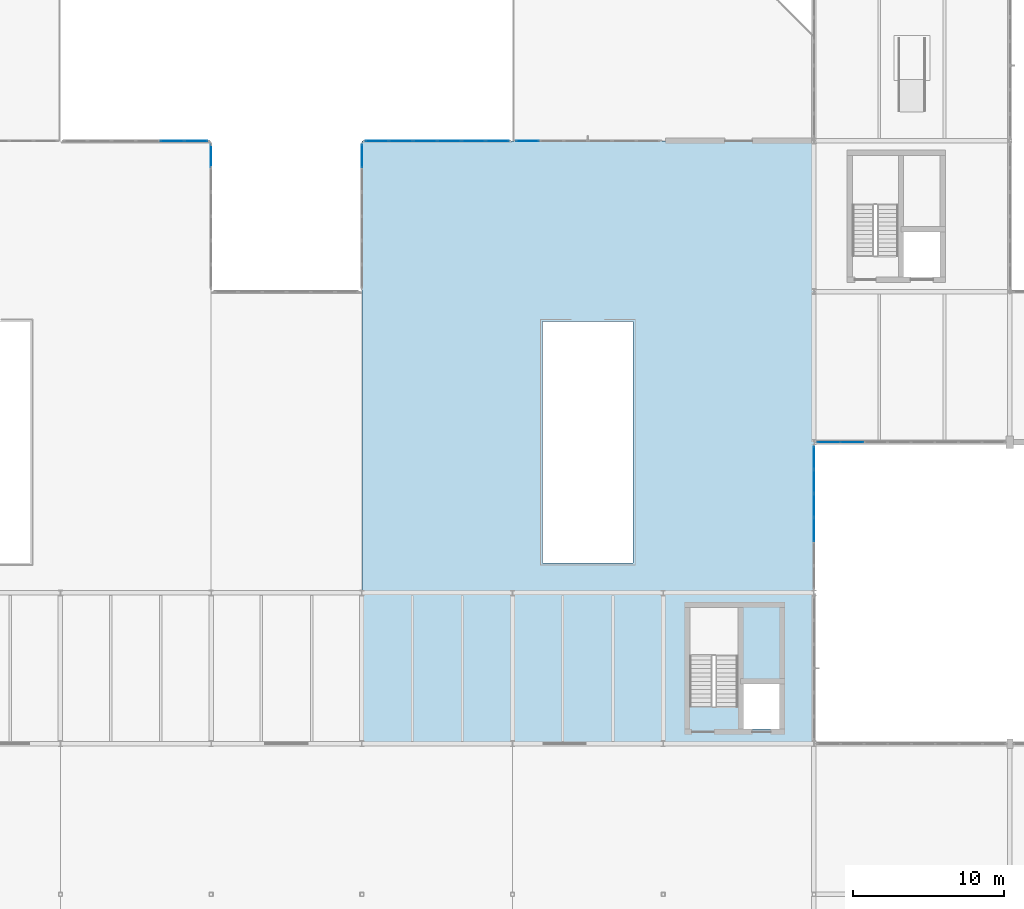
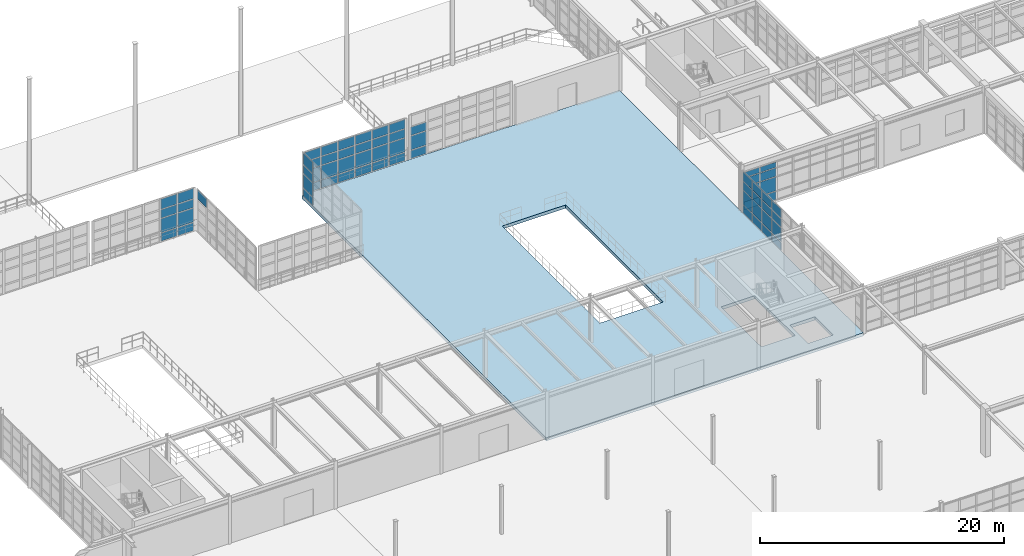
# One storey, part 95 of 139: 64 plates, 1 slab, 7 elements without a shape of their own.
"""IFC4 building model written with IfcOpenShell, lengths in metres."""

from ifc_helpers import new_model, si_unit, direction, frame, origin, origin_2d, place, context, subcontext, project, spatial, polyline, rectangle, outline, extrude, material, layer, layer_set, type_object, element, aggregate, save


model = new_model("IFC4")

# Units and contexts
model_context = context("Model", 3, precision=1e-05, world=origin(), true_north=direction((0.0, 1.0)))
body_context = subcontext(model_context, "Body", "Model", "MODEL_VIEW")
ifc_project = project(units=[si_unit("LENGTHUNIT", "METRE"), si_unit("AREAUNIT", "SQUARE_METRE"), si_unit("VOLUMEUNIT", "CUBIC_METRE"), si_unit("PLANEANGLEUNIT", "RADIAN"), si_unit("MASSUNIT", "GRAM", prefix="KILO"), si_unit("THERMODYNAMICTEMPERATUREUNIT", "KELVIN"), si_unit("POWERUNIT", "WATT")], contexts=[model_context])

# Site, building, storey
site_placement = place(None, origin())
site = spatial("IfcSite", under=ifc_project, at=site_placement, CompositionType="ELEMENT")
building_placement = place(site_placement, origin())
building = spatial("IfcBuilding", under=site, at=building_placement, Name="Korenveer Ferry Terminal", CompositionType="ELEMENT")
storey_placement = place(building_placement, frame((0.0, 0.0, 5.39990234375)))
storey = spatial("IfcBuildingStorey", under=building, at=storey_placement, Name="L01", CompositionType="ELEMENT", Elevation=5.39990234375)

# Curtain wall, plates
ifc_material_1 = material(Name="Unitised bronze-and-glass curtain wall", Category="glass")
ifc_layer_1 = layer(ifc_material_1, 0.159912109375)
ifc_layer_set_1 = layer_set([ifc_layer_1], Name="Unitised bronze-and-glass curtain wall")
curtain_wall_type_1 = type_object("IfcCurtainWallType", Name="ENV-CW-47", PredefinedType="USERDEFINED", material=ifc_layer_set_1)
curtain_wall_1_placement = place(storey_placement, frame((123.179931640625, 70.0, 0.0)))
curtain_wall_1 = element("IfcCurtainWall", 1, at=curtain_wall_1_placement, inside=storey, type_object=curtain_wall_type_1, Name="Lancet curtain wall CWX-L01-X123-136-Y70-70", ObjectType="UNITISED CURTAIN WALL", PredefinedType="USERDEFINED")
ifc_material_2 = material(Name="Low-iron solar-control double glazing", Category="glass")
ifc_layer_2 = layer(ifc_material_2, 0.028076171875)
ifc_layer_set_2 = layer_set([ifc_layer_2], Name="Low-iron solar-control double glazing")
plate_type_1 = type_object("IfcPlateType", Name="ENV-CWP-GLZ28", PredefinedType="CURTAIN_PANEL", material=ifc_layer_set_2)
plate_1_placement = place(storey_placement, frame((123.978759765625, 70.0, 0.06005859375), z_axis=(0.0, 0.0, 1.0), x_axis=(1.0, 0.0, 0.0)))
plate_1 = element("IfcPlate", 2, at=plate_1_placement, type_object=plate_type_1, Name="CW-47 panel 1.1", PredefinedType="CURTAIN_PANEL", context=body_context, shape_type="SweptSolid", body=[
    extrude(rectangle(XDim=1.4775390625, YDim=0.028076171875, at=origin_2d()), origin(), (0.0, 0.0, 1.0), 0.81005859375),
])
plate_2_placement = place(storey_placement, frame((123.978759765625, 70.0, 0.93017578125), z_axis=(0.0, 0.0, 1.0), x_axis=(1.0, 0.0, 0.0)))
plate_2 = element("IfcPlate", 3, at=plate_2_placement, type_object=plate_type_1, Name="CW-47 panel 1.2", PredefinedType="CURTAIN_PANEL", context=body_context, shape_type="SweptSolid", body=[
    extrude(rectangle(XDim=1.4775390625, YDim=0.028076171875, at=origin_2d()), origin(), (0.0, 0.0, 1.0), 1.389892578125),
])
plate_3_placement = place(storey_placement, frame((123.978759765625, 70.0, 2.3798828125), z_axis=(0.0, 0.0, 1.0), x_axis=(1.0, 0.0, 0.0)))
plate_3 = element("IfcPlate", 4, at=plate_3_placement, type_object=plate_type_1, Name="CW-47 panel 1.3", PredefinedType="CURTAIN_PANEL", context=body_context, shape_type="SweptSolid", body=[
    extrude(rectangle(XDim=1.4775390625, YDim=0.028076171875, at=origin_2d()), origin(), (0.0, 0.0, 1.0), 0.840087890625),
])
plate_4_placement = place(storey_placement, frame((123.978759765625, 70.0, 3.2802734375), z_axis=(0.0, 0.0, 1.0), x_axis=(1.0, 0.0, 0.0)))
plate_4 = element("IfcPlate", 5, at=plate_4_placement, type_object=plate_type_1, Name="CW-47 panel 1.4", PredefinedType="CURTAIN_PANEL", context=body_context, shape_type="SweptSolid", body=[
    extrude(rectangle(XDim=1.4775390625, YDim=0.028076171875, at=origin_2d()), origin(), (0.0, 0.0, 1.0), 0.530029296875),
])
plate_5_placement = place(storey_placement, frame((125.53125, 70.0, 0.06005859375), z_axis=(0.0, 0.0, 1.0), x_axis=(1.0, 0.0, 0.0)))
plate_5 = element("IfcPlate", 6, at=plate_5_placement, type_object=plate_type_1, Name="CW-47 panel 2.1", PredefinedType="CURTAIN_PANEL", context=body_context, shape_type="SweptSolid", body=[
    extrude(rectangle(XDim=1.507568359375, YDim=0.028076171875, at=origin_2d()), origin(), (0.0, 0.0, 1.0), 0.81005859375),
])
plate_6_placement = place(storey_placement, frame((125.53125, 70.0, 0.93017578125), z_axis=(0.0, 0.0, 1.0), x_axis=(1.0, 0.0, 0.0)))
plate_6 = element("IfcPlate", 7, at=plate_6_placement, type_object=plate_type_1, Name="CW-47 panel 2.2", PredefinedType="CURTAIN_PANEL", context=body_context, shape_type="SweptSolid", body=[
    extrude(rectangle(XDim=1.507568359375, YDim=0.028076171875, at=origin_2d()), origin(), (0.0, 0.0, 1.0), 1.389892578125),
])
plate_7_placement = place(storey_placement, frame((125.53125, 70.0, 2.3798828125), z_axis=(0.0, 0.0, 1.0), x_axis=(1.0, 0.0, 0.0)))
plate_7 = element("IfcPlate", 8, at=plate_7_placement, type_object=plate_type_1, Name="CW-47 panel 2.3", PredefinedType="CURTAIN_PANEL", context=body_context, shape_type="SweptSolid", body=[
    extrude(rectangle(XDim=1.507568359375, YDim=0.028076171875, at=origin_2d()), origin(), (0.0, 0.0, 1.0), 0.840087890625),
])
plate_8_placement = place(storey_placement, frame((125.53125, 70.0, 3.2802734375), z_axis=(0.0, 0.0, 1.0), x_axis=(1.0, 0.0, 0.0)))
plate_8 = element("IfcPlate", 9, at=plate_8_placement, type_object=plate_type_1, Name="CW-47 panel 2.4", PredefinedType="CURTAIN_PANEL", context=body_context, shape_type="SweptSolid", body=[
    extrude(rectangle(XDim=1.507568359375, YDim=0.028076171875, at=origin_2d()), origin(), (0.0, 0.0, 1.0), 0.530029296875),
])
aggregate(curtain_wall_1, [plate_1, plate_2, plate_3, plate_4, plate_5, plate_6, plate_7, plate_8])

ifc_layer_3 = layer(ifc_material_1, 0.219970703125)
ifc_layer_set_3 = layer_set([ifc_layer_3], Name="Unitised bronze-and-glass curtain wall")
curtain_wall_type_2 = type_object("IfcCurtainWallType", Name="ENV-CW-54", PredefinedType="USERDEFINED", material=ifc_layer_set_3)
curtain_wall_2_placement = place(storey_placement, frame((73.179931640625, 90.0, 0.0)))
curtain_wall_2 = element("IfcCurtainWall", 10, at=curtain_wall_2_placement, inside=storey, type_object=curtain_wall_type_2, Name="Lancet curtain wall CWX-L01-X73-83-Y90-90", ObjectType="UNITISED CURTAIN WALL", PredefinedType="USERDEFINED")
ifc_material_3 = material(Name="Acoustic laminated marine glazing", Category="glass")
ifc_layer_4 = layer(ifc_material_3, 0.035888671875)
ifc_layer_set_4 = layer_set([ifc_layer_4], Name="Acoustic laminated marine glazing")
plate_type_2 = type_object("IfcPlateType", Name="ENV-CWP-GLZ36", PredefinedType="CURTAIN_PANEL", material=ifc_layer_set_4)
plate_9_placement = place(storey_placement, frame((80.409912109375, 90.0, 0.074951171875), z_axis=(0.0, 0.0, 1.0), x_axis=(1.0, 0.0, 0.0)))
plate_9 = element("IfcPlate", 11, at=plate_9_placement, type_object=plate_type_2, Name="CW-54 panel 5.1", PredefinedType="CURTAIN_PANEL", context=body_context, shape_type="SweptSolid", body=[
    extrude(rectangle(XDim=1.53173828125, YDim=0.035888671875, at=origin_2d()), origin(), (0.0, 0.0, 1.0), 0.78759765625),
])
plate_10_placement = place(storey_placement, frame((80.409912109375, 90.0, 0.9375), z_axis=(0.0, 0.0, 1.0), x_axis=(1.0, 0.0, 0.0)))
plate_10 = element("IfcPlate", 12, at=plate_10_placement, type_object=plate_type_2, Name="CW-54 panel 5.2", PredefinedType="CURTAIN_PANEL", context=body_context, shape_type="SweptSolid", body=[
    extrude(rectangle(XDim=1.53173828125, YDim=0.035888671875, at=origin_2d()), origin(), (0.0, 0.0, 1.0), 1.375),
])
plate_11_placement = place(storey_placement, frame((80.409912109375, 90.0, 2.3876953125), z_axis=(0.0, 0.0, 1.0), x_axis=(1.0, 0.0, 0.0)))
plate_11 = element("IfcPlate", 13, at=plate_11_placement, type_object=plate_type_2, Name="CW-54 panel 5.3", PredefinedType="CURTAIN_PANEL", context=body_context, shape_type="SweptSolid", body=[
    extrude(rectangle(XDim=1.53173828125, YDim=0.035888671875, at=origin_2d()), origin(), (0.0, 0.0, 1.0), 0.824951171875),
])
plate_12_placement = place(storey_placement, frame((80.409912109375, 90.0, 3.28759765625), z_axis=(0.0, 0.0, 1.0), x_axis=(1.0, 0.0, 0.0)))
plate_12 = element("IfcPlate", 14, at=plate_12_placement, type_object=plate_type_2, Name="CW-54 panel 5.4", PredefinedType="CURTAIN_PANEL", context=body_context, shape_type="SweptSolid", body=[
    extrude(rectangle(XDim=1.53173828125, YDim=0.035888671875, at=origin_2d()), origin(), (0.0, 0.0, 1.0), 0.99755859375),
])
plate_13_placement = place(storey_placement, frame((81.997802734375, 90.0, 0.074951171875), z_axis=(0.0, 0.0, 1.0), x_axis=(1.0, 0.0, 0.0)))
plate_13 = element("IfcPlate", 15, at=plate_13_placement, type_object=plate_type_2, Name="CW-54 panel 6.1", PredefinedType="CURTAIN_PANEL", context=body_context, shape_type="SweptSolid", body=[
    extrude(rectangle(XDim=1.494140625, YDim=0.035888671875, at=origin_2d()), origin(), (0.0, 0.0, 1.0), 0.78759765625),
])
plate_14_placement = place(storey_placement, frame((81.997802734375, 90.0, 0.9375), z_axis=(0.0, 0.0, 1.0), x_axis=(1.0, 0.0, 0.0)))
plate_14 = element("IfcPlate", 16, at=plate_14_placement, type_object=plate_type_2, Name="CW-54 panel 6.2", PredefinedType="CURTAIN_PANEL", context=body_context, shape_type="SweptSolid", body=[
    extrude(rectangle(XDim=1.494140625, YDim=0.035888671875, at=origin_2d()), origin(), (0.0, 0.0, 1.0), 1.375),
])
plate_15_placement = place(storey_placement, frame((81.997802734375, 90.0, 2.3876953125), z_axis=(0.0, 0.0, 1.0), x_axis=(1.0, 0.0, 0.0)))
plate_15 = element("IfcPlate", 17, at=plate_15_placement, type_object=plate_type_2, Name="CW-54 panel 6.3", PredefinedType="CURTAIN_PANEL", context=body_context, shape_type="SweptSolid", body=[
    extrude(rectangle(XDim=1.494140625, YDim=0.035888671875, at=origin_2d()), origin(), (0.0, 0.0, 1.0), 0.824951171875),
])
plate_16_placement = place(storey_placement, frame((81.997802734375, 90.0, 3.28759765625), z_axis=(0.0, 0.0, 1.0), x_axis=(1.0, 0.0, 0.0)))
plate_16 = element("IfcPlate", 18, at=plate_16_placement, type_object=plate_type_2, Name="CW-54 panel 6.4", PredefinedType="CURTAIN_PANEL", context=body_context, shape_type="SweptSolid", body=[
    extrude(rectangle(XDim=1.494140625, YDim=0.035888671875, at=origin_2d()), origin(), (0.0, 0.0, 1.0), 0.99755859375),
])
aggregate(curtain_wall_2, [plate_9, plate_10, plate_11, plate_12, plate_13, plate_14, plate_15, plate_16])

ifc_layer_5 = layer(ifc_material_1, 0.219970703125)
ifc_layer_set_5 = layer_set([ifc_layer_5], Name="Unitised bronze-and-glass curtain wall")
curtain_wall_type_3 = type_object("IfcCurtainWallType", Name="ENV-CW-55", PredefinedType="USERDEFINED", material=ifc_layer_set_5)
curtain_wall_3_placement = place(storey_placement, frame((93.179931640625, 90.0, 0.0)))
curtain_wall_3 = element("IfcCurtainWall", 19, at=curtain_wall_3_placement, inside=storey, type_object=curtain_wall_type_3, Name="Lancet curtain wall CWX-L01-X93-103-Y90-90", ObjectType="UNITISED CURTAIN WALL", PredefinedType="USERDEFINED")
plate_17_placement = place(storey_placement, frame((94.002197265625, 90.0, 0.074951171875), z_axis=(0.0, 0.0, 1.0), x_axis=(1.0, 0.0, 0.0)))
plate_17 = element("IfcPlate", 20, at=plate_17_placement, type_object=plate_type_2, Name="CW-55 panel 1.1", PredefinedType="CURTAIN_PANEL", context=body_context, shape_type="SweptSolid", body=[
    extrude(rectangle(XDim=1.494140625, YDim=0.035888671875, at=origin_2d()), origin(), (0.0, 0.0, 1.0), 0.78759765625),
])
plate_18_placement = place(storey_placement, frame((94.002197265625, 90.0, 0.9375), z_axis=(0.0, 0.0, 1.0), x_axis=(1.0, 0.0, 0.0)))
plate_18 = element("IfcPlate", 21, at=plate_18_placement, type_object=plate_type_2, Name="CW-55 panel 1.2", PredefinedType="CURTAIN_PANEL", context=body_context, shape_type="SweptSolid", body=[
    extrude(rectangle(XDim=1.494140625, YDim=0.035888671875, at=origin_2d()), origin(), (0.0, 0.0, 1.0), 1.375),
])
plate_19_placement = place(storey_placement, frame((94.002197265625, 90.0, 2.3876953125), z_axis=(0.0, 0.0, 1.0), x_axis=(1.0, 0.0, 0.0)))
plate_19 = element("IfcPlate", 22, at=plate_19_placement, type_object=plate_type_2, Name="CW-55 panel 1.3", PredefinedType="CURTAIN_PANEL", context=body_context, shape_type="SweptSolid", body=[
    extrude(rectangle(XDim=1.494140625, YDim=0.035888671875, at=origin_2d()), origin(), (0.0, 0.0, 1.0), 0.824951171875),
])
plate_20_placement = place(storey_placement, frame((94.002197265625, 90.0, 3.28759765625), z_axis=(0.0, 0.0, 1.0), x_axis=(1.0, 0.0, 0.0)))
plate_20 = element("IfcPlate", 23, at=plate_20_placement, type_object=plate_type_2, Name="CW-55 panel 1.4", PredefinedType="CURTAIN_PANEL", context=body_context, shape_type="SweptSolid", body=[
    extrude(rectangle(XDim=1.494140625, YDim=0.035888671875, at=origin_2d()), origin(), (0.0, 0.0, 1.0), 0.8974609375),
])
plate_21_placement = place(storey_placement, frame((95.590087890625, 90.0, 0.074951171875), z_axis=(0.0, 0.0, 1.0), x_axis=(1.0, 0.0, 0.0)))
plate_21 = element("IfcPlate", 24, at=plate_21_placement, type_object=plate_type_2, Name="CW-55 panel 2.1", PredefinedType="CURTAIN_PANEL", context=body_context, shape_type="SweptSolid", body=[
    extrude(rectangle(XDim=1.53173828125, YDim=0.035888671875, at=origin_2d()), origin(), (0.0, 0.0, 1.0), 0.78759765625),
])
plate_22_placement = place(storey_placement, frame((95.590087890625, 90.0, 0.9375), z_axis=(0.0, 0.0, 1.0), x_axis=(1.0, 0.0, 0.0)))
plate_22 = element("IfcPlate", 25, at=plate_22_placement, type_object=plate_type_2, Name="CW-55 panel 2.2", PredefinedType="CURTAIN_PANEL", context=body_context, shape_type="SweptSolid", body=[
    extrude(rectangle(XDim=1.53173828125, YDim=0.035888671875, at=origin_2d()), origin(), (0.0, 0.0, 1.0), 1.375),
])
plate_23_placement = place(storey_placement, frame((95.590087890625, 90.0, 2.3876953125), z_axis=(0.0, 0.0, 1.0), x_axis=(1.0, 0.0, 0.0)))
plate_23 = element("IfcPlate", 26, at=plate_23_placement, type_object=plate_type_2, Name="CW-55 panel 2.3", PredefinedType="CURTAIN_PANEL", context=body_context, shape_type="SweptSolid", body=[
    extrude(rectangle(XDim=1.53173828125, YDim=0.035888671875, at=origin_2d()), origin(), (0.0, 0.0, 1.0), 0.824951171875),
])
plate_24_placement = place(storey_placement, frame((95.590087890625, 90.0, 3.28759765625), z_axis=(0.0, 0.0, 1.0), x_axis=(1.0, 0.0, 0.0)))
plate_24 = element("IfcPlate", 27, at=plate_24_placement, type_object=plate_type_2, Name="CW-55 panel 2.4", PredefinedType="CURTAIN_PANEL", context=body_context, shape_type="SweptSolid", body=[
    extrude(rectangle(XDim=1.53173828125, YDim=0.035888671875, at=origin_2d()), origin(), (0.0, 0.0, 1.0), 0.8974609375),
])
plate_25_placement = place(storey_placement, frame((97.19677734375, 90.0, 0.074951171875), z_axis=(0.0, 0.0, 1.0), x_axis=(1.0, 0.0, 0.0)))
plate_25 = element("IfcPlate", 28, at=plate_25_placement, type_object=plate_type_2, Name="CW-55 panel 3.1", PredefinedType="CURTAIN_PANEL", context=body_context, shape_type="SweptSolid", body=[
    extrude(rectangle(XDim=1.53173828125, YDim=0.035888671875, at=origin_2d()), origin(), (0.0, 0.0, 1.0), 0.78759765625),
])
plate_26_placement = place(storey_placement, frame((97.19677734375, 90.0, 0.9375), z_axis=(0.0, 0.0, 1.0), x_axis=(1.0, 0.0, 0.0)))
plate_26 = element("IfcPlate", 29, at=plate_26_placement, type_object=plate_type_2, Name="CW-55 panel 3.2", PredefinedType="CURTAIN_PANEL", context=body_context, shape_type="SweptSolid", body=[
    extrude(rectangle(XDim=1.53173828125, YDim=0.035888671875, at=origin_2d()), origin(), (0.0, 0.0, 1.0), 1.375),
])
plate_27_placement = place(storey_placement, frame((97.19677734375, 90.0, 2.3876953125), z_axis=(0.0, 0.0, 1.0), x_axis=(1.0, 0.0, 0.0)))
plate_27 = element("IfcPlate", 30, at=plate_27_placement, type_object=plate_type_2, Name="CW-55 panel 3.3", PredefinedType="CURTAIN_PANEL", context=body_context, shape_type="SweptSolid", body=[
    extrude(rectangle(XDim=1.53173828125, YDim=0.035888671875, at=origin_2d()), origin(), (0.0, 0.0, 1.0), 0.824951171875),
])
plate_28_placement = place(storey_placement, frame((97.19677734375, 90.0, 3.28759765625), z_axis=(0.0, 0.0, 1.0), x_axis=(1.0, 0.0, 0.0)))
plate_28 = element("IfcPlate", 31, at=plate_28_placement, type_object=plate_type_2, Name="CW-55 panel 3.4", PredefinedType="CURTAIN_PANEL", context=body_context, shape_type="SweptSolid", body=[
    extrude(rectangle(XDim=1.53173828125, YDim=0.035888671875, at=origin_2d()), origin(), (0.0, 0.0, 1.0), 0.8974609375),
])
plate_29_placement = place(storey_placement, frame((98.80322265625, 90.0, 0.074951171875), z_axis=(0.0, 0.0, 1.0), x_axis=(1.0, 0.0, 0.0)))
plate_29 = element("IfcPlate", 32, at=plate_29_placement, type_object=plate_type_2, Name="CW-55 panel 4.1", PredefinedType="CURTAIN_PANEL", context=body_context, shape_type="SweptSolid", body=[
    extrude(rectangle(XDim=1.53173828125, YDim=0.035888671875, at=origin_2d()), origin(), (0.0, 0.0, 1.0), 0.78759765625),
])
plate_30_placement = place(storey_placement, frame((98.80322265625, 90.0, 0.9375), z_axis=(0.0, 0.0, 1.0), x_axis=(1.0, 0.0, 0.0)))
plate_30 = element("IfcPlate", 33, at=plate_30_placement, type_object=plate_type_2, Name="CW-55 panel 4.2", PredefinedType="CURTAIN_PANEL", context=body_context, shape_type="SweptSolid", body=[
    extrude(rectangle(XDim=1.53173828125, YDim=0.035888671875, at=origin_2d()), origin(), (0.0, 0.0, 1.0), 1.375),
])
plate_31_placement = place(storey_placement, frame((98.80322265625, 90.0, 2.3876953125), z_axis=(0.0, 0.0, 1.0), x_axis=(1.0, 0.0, 0.0)))
plate_31 = element("IfcPlate", 34, at=plate_31_placement, type_object=plate_type_2, Name="CW-55 panel 4.3", PredefinedType="CURTAIN_PANEL", context=body_context, shape_type="SweptSolid", body=[
    extrude(rectangle(XDim=1.53173828125, YDim=0.035888671875, at=origin_2d()), origin(), (0.0, 0.0, 1.0), 0.824951171875),
])
plate_32_placement = place(storey_placement, frame((98.80322265625, 90.0, 3.28759765625), z_axis=(0.0, 0.0, 1.0), x_axis=(1.0, 0.0, 0.0)))
plate_32 = element("IfcPlate", 35, at=plate_32_placement, type_object=plate_type_2, Name="CW-55 panel 4.4", PredefinedType="CURTAIN_PANEL", context=body_context, shape_type="SweptSolid", body=[
    extrude(rectangle(XDim=1.53173828125, YDim=0.035888671875, at=origin_2d()), origin(), (0.0, 0.0, 1.0), 0.8974609375),
])
plate_33_placement = place(storey_placement, frame((100.409912109375, 90.0, 0.074951171875), z_axis=(0.0, 0.0, 1.0), x_axis=(1.0, 0.0, 0.0)))
plate_33 = element("IfcPlate", 36, at=plate_33_placement, type_object=plate_type_2, Name="CW-55 panel 5.1", PredefinedType="CURTAIN_PANEL", context=body_context, shape_type="SweptSolid", body=[
    extrude(rectangle(XDim=1.53173828125, YDim=0.035888671875, at=origin_2d()), origin(), (0.0, 0.0, 1.0), 0.78759765625),
])
plate_34_placement = place(storey_placement, frame((100.409912109375, 90.0, 0.9375), z_axis=(0.0, 0.0, 1.0), x_axis=(1.0, 0.0, 0.0)))
plate_34 = element("IfcPlate", 37, at=plate_34_placement, type_object=plate_type_2, Name="CW-55 panel 5.2", PredefinedType="CURTAIN_PANEL", context=body_context, shape_type="SweptSolid", body=[
    extrude(rectangle(XDim=1.53173828125, YDim=0.035888671875, at=origin_2d()), origin(), (0.0, 0.0, 1.0), 1.375),
])
plate_35_placement = place(storey_placement, frame((100.409912109375, 90.0, 2.3876953125), z_axis=(0.0, 0.0, 1.0), x_axis=(1.0, 0.0, 0.0)))
plate_35 = element("IfcPlate", 38, at=plate_35_placement, type_object=plate_type_2, Name="CW-55 panel 5.3", PredefinedType="CURTAIN_PANEL", context=body_context, shape_type="SweptSolid", body=[
    extrude(rectangle(XDim=1.53173828125, YDim=0.035888671875, at=origin_2d()), origin(), (0.0, 0.0, 1.0), 0.824951171875),
])
plate_36_placement = place(storey_placement, frame((100.409912109375, 90.0, 3.28759765625), z_axis=(0.0, 0.0, 1.0), x_axis=(1.0, 0.0, 0.0)))
plate_36 = element("IfcPlate", 39, at=plate_36_placement, type_object=plate_type_2, Name="CW-55 panel 5.4", PredefinedType="CURTAIN_PANEL", context=body_context, shape_type="SweptSolid", body=[
    extrude(rectangle(XDim=1.53173828125, YDim=0.035888671875, at=origin_2d()), origin(), (0.0, 0.0, 1.0), 0.8974609375),
])
plate_37_placement = place(storey_placement, frame((101.997802734375, 90.0, 0.074951171875), z_axis=(0.0, 0.0, 1.0), x_axis=(1.0, 0.0, 0.0)))
plate_37 = element("IfcPlate", 40, at=plate_37_placement, type_object=plate_type_2, Name="CW-55 panel 6.1", PredefinedType="CURTAIN_PANEL", context=body_context, shape_type="SweptSolid", body=[
    extrude(rectangle(XDim=1.494140625, YDim=0.035888671875, at=origin_2d()), origin(), (0.0, 0.0, 1.0), 0.78759765625),
])
plate_38_placement = place(storey_placement, frame((101.997802734375, 90.0, 0.9375), z_axis=(0.0, 0.0, 1.0), x_axis=(1.0, 0.0, 0.0)))
plate_38 = element("IfcPlate", 41, at=plate_38_placement, type_object=plate_type_2, Name="CW-55 panel 6.2", PredefinedType="CURTAIN_PANEL", context=body_context, shape_type="SweptSolid", body=[
    extrude(rectangle(XDim=1.494140625, YDim=0.035888671875, at=origin_2d()), origin(), (0.0, 0.0, 1.0), 1.375),
])
plate_39_placement = place(storey_placement, frame((101.997802734375, 90.0, 2.3876953125), z_axis=(0.0, 0.0, 1.0), x_axis=(1.0, 0.0, 0.0)))
plate_39 = element("IfcPlate", 42, at=plate_39_placement, type_object=plate_type_2, Name="CW-55 panel 6.3", PredefinedType="CURTAIN_PANEL", context=body_context, shape_type="SweptSolid", body=[
    extrude(rectangle(XDim=1.494140625, YDim=0.035888671875, at=origin_2d()), origin(), (0.0, 0.0, 1.0), 0.824951171875),
])
plate_40_placement = place(storey_placement, frame((101.997802734375, 90.0, 3.28759765625), z_axis=(0.0, 0.0, 1.0), x_axis=(1.0, 0.0, 0.0)))
plate_40 = element("IfcPlate", 43, at=plate_40_placement, type_object=plate_type_2, Name="CW-55 panel 6.4", PredefinedType="CURTAIN_PANEL", context=body_context, shape_type="SweptSolid", body=[
    extrude(rectangle(XDim=1.494140625, YDim=0.035888671875, at=origin_2d()), origin(), (0.0, 0.0, 1.0), 0.8974609375),
])
aggregate(curtain_wall_3, [plate_17, plate_18, plate_19, plate_20, plate_21, plate_22, plate_23, plate_24, plate_25, plate_26, plate_27, plate_28, plate_29, plate_30, plate_31, plate_32, plate_33, plate_34, plate_35, plate_36, plate_37, plate_38, plate_39, plate_40])

ifc_layer_6 = layer(ifc_material_1, 0.219970703125)
ifc_layer_set_6 = layer_set([ifc_layer_6], Name="Unitised bronze-and-glass curtain wall")
curtain_wall_type_4 = type_object("IfcCurtainWallType", Name="ENV-CW-52", PredefinedType="USERDEFINED", material=ifc_layer_set_6)
curtain_wall_4_placement = place(storey_placement, frame((103.179931640625, 90.0, 0.0)))
curtain_wall_4 = element("IfcCurtainWall", 44, at=curtain_wall_4_placement, inside=storey, type_object=curtain_wall_type_4, Name="Lancet curtain wall CWX-L01-X103-113-Y90-90", ObjectType="UNITISED CURTAIN WALL", PredefinedType="USERDEFINED")
plate_41_placement = place(storey_placement, frame((104.002197265625, 90.0, 0.074951171875), z_axis=(0.0, 0.0, 1.0), x_axis=(1.0, 0.0, 0.0)))
plate_41 = element("IfcPlate", 45, at=plate_41_placement, type_object=plate_type_2, Name="CW-52 panel 1.1", PredefinedType="CURTAIN_PANEL", context=body_context, shape_type="SweptSolid", body=[
    extrude(rectangle(XDim=1.494140625, YDim=0.035888671875, at=origin_2d()), origin(), (0.0, 0.0, 1.0), 0.78759765625),
])
plate_42_placement = place(storey_placement, frame((104.002197265625, 90.0, 0.9375), z_axis=(0.0, 0.0, 1.0), x_axis=(1.0, 0.0, 0.0)))
plate_42 = element("IfcPlate", 46, at=plate_42_placement, type_object=plate_type_2, Name="CW-52 panel 1.2", PredefinedType="CURTAIN_PANEL", context=body_context, shape_type="SweptSolid", body=[
    extrude(rectangle(XDim=1.494140625, YDim=0.035888671875, at=origin_2d()), origin(), (0.0, 0.0, 1.0), 1.375),
])
plate_43_placement = place(storey_placement, frame((104.002197265625, 90.0, 2.3876953125), z_axis=(0.0, 0.0, 1.0), x_axis=(1.0, 0.0, 0.0)))
plate_43 = element("IfcPlate", 47, at=plate_43_placement, type_object=plate_type_2, Name="CW-52 panel 1.3", PredefinedType="CURTAIN_PANEL", context=body_context, shape_type="SweptSolid", body=[
    extrude(rectangle(XDim=1.494140625, YDim=0.035888671875, at=origin_2d()), origin(), (0.0, 0.0, 1.0), 0.824951171875),
])
aggregate(curtain_wall_4, [plate_41, plate_42, plate_43])

# Curtain wall, plate
curtain_wall_5_placement = place(storey_placement, frame((83.0, 89.820068359375, 0.0)))
curtain_wall_5 = element("IfcCurtainWall", 48, at=curtain_wall_5_placement, inside=storey, type_object=curtain_wall_type_3, Name="Lancet curtain wall CWX-L01-X83-83-Y80-90", ObjectType="UNITISED CURTAIN WALL", PredefinedType="USERDEFINED")
plate_44_placement = place(storey_placement, frame((83.0, 88.997802734375, 3.28759765625), z_axis=(0.0, 0.0, 1.0), x_axis=(0.0, -1.0, 0.0)))
plate_44 = element("IfcPlate", 49, at=plate_44_placement, type_object=plate_type_2, Name="CW-55 panel 1.4", PredefinedType="CURTAIN_PANEL", context=body_context, shape_type="SweptSolid", body=[
    extrude(rectangle(XDim=1.494140625, YDim=0.035888671875, at=origin_2d()), origin(), (0.0, 0.0, 1.0), 0.8974609375),
])
aggregate(curtain_wall_5, [plate_44])

# Curtain wall, plates
curtain_wall_6_placement = place(storey_placement, frame((93.0, 80.179931640625, 0.0)))
curtain_wall_6 = element("IfcCurtainWall", 50, at=curtain_wall_6_placement, inside=storey, type_object=curtain_wall_type_4, Name="Lancet curtain wall CWX-L01-X93-93-Y80-90", ObjectType="UNITISED CURTAIN WALL", PredefinedType="USERDEFINED")
plate_45_placement = place(storey_placement, frame((93.0, 88.997802734375, 0.074951171875), z_axis=(0.0, 0.0, 1.0), x_axis=(0.0, 1.0, 0.0)))
plate_45 = element("IfcPlate", 51, at=plate_45_placement, type_object=plate_type_2, Name="CW-52 panel 6.1", PredefinedType="CURTAIN_PANEL", context=body_context, shape_type="SweptSolid", body=[
    extrude(rectangle(XDim=1.494140625, YDim=0.035888671875, at=origin_2d()), origin(), (0.0, 0.0, 1.0), 0.78759765625),
])
plate_46_placement = place(storey_placement, frame((93.0, 88.997802734375, 0.9375), z_axis=(0.0, 0.0, 1.0), x_axis=(0.0, 1.0, 0.0)))
plate_46 = element("IfcPlate", 52, at=plate_46_placement, type_object=plate_type_2, Name="CW-52 panel 6.2", PredefinedType="CURTAIN_PANEL", context=body_context, shape_type="SweptSolid", body=[
    extrude(rectangle(XDim=1.494140625, YDim=0.035888671875, at=origin_2d()), origin(), (0.0, 0.0, 1.0), 1.375),
])
plate_47_placement = place(storey_placement, frame((93.0, 88.997802734375, 2.3876953125), z_axis=(0.0, 0.0, 1.0), x_axis=(0.0, 1.0, 0.0)))
plate_47 = element("IfcPlate", 53, at=plate_47_placement, type_object=plate_type_2, Name="CW-52 panel 6.3", PredefinedType="CURTAIN_PANEL", context=body_context, shape_type="SweptSolid", body=[
    extrude(rectangle(XDim=1.494140625, YDim=0.035888671875, at=origin_2d()), origin(), (0.0, 0.0, 1.0), 0.824951171875),
])
plate_48_placement = place(storey_placement, frame((93.0, 88.997802734375, 3.28759765625), z_axis=(0.0, 0.0, 1.0), x_axis=(0.0, 1.0, 0.0)))
plate_48 = element("IfcPlate", 54, at=plate_48_placement, type_object=plate_type_2, Name="CW-52 panel 6.4", PredefinedType="CURTAIN_PANEL", context=body_context, shape_type="SweptSolid", body=[
    extrude(rectangle(XDim=1.494140625, YDim=0.035888671875, at=origin_2d()), origin(), (0.0, 0.0, 1.0), 1.097412109375),
])
aggregate(curtain_wall_6, [plate_45, plate_46, plate_47, plate_48])

ifc_layer_7 = layer(ifc_material_1, 0.219970703125)
ifc_layer_set_7 = layer_set([ifc_layer_7], Name="Unitised bronze-and-glass curtain wall")
curtain_wall_type_5 = type_object("IfcCurtainWallType", Name="ENV-CW-74", PredefinedType="USERDEFINED", material=ifc_layer_set_7)
curtain_wall_7_placement = place(storey_placement, frame((123.0, 69.7900390625, 0.0)))
curtain_wall_7 = element("IfcCurtainWall", 55, at=curtain_wall_7_placement, inside=storey, type_object=curtain_wall_type_5, Name="Lancet curtain wall CWX-L01-X123-123-Y60-70", ObjectType="UNITISED CURTAIN WALL", PredefinedType="USERDEFINED")
plate_49_placement = place(storey_placement, frame((123.0, 68.972900390625, 0.074951171875), z_axis=(0.0, 0.0, 1.0), x_axis=(0.0, -1.0, 0.0)))
plate_49 = element("IfcPlate", 56, at=plate_49_placement, type_object=plate_type_2, Name="CW-74 panel 1.1", PredefinedType="CURTAIN_PANEL", context=body_context, shape_type="SweptSolid", body=[
    extrude(rectangle(XDim=1.484130859375, YDim=0.035888671875, at=origin_2d()), origin(), (0.0, 0.0, 1.0), 0.78759765625),
])
plate_50_placement = place(storey_placement, frame((123.0, 68.972900390625, 0.9375), z_axis=(0.0, 0.0, 1.0), x_axis=(0.0, -1.0, 0.0)))
plate_50 = element("IfcPlate", 57, at=plate_50_placement, type_object=plate_type_2, Name="CW-74 panel 1.2", PredefinedType="CURTAIN_PANEL", context=body_context, shape_type="SweptSolid", body=[
    extrude(rectangle(XDim=1.484130859375, YDim=0.035888671875, at=origin_2d()), origin(), (0.0, 0.0, 1.0), 1.375),
])
plate_51_placement = place(storey_placement, frame((123.0, 68.972900390625, 2.3876953125), z_axis=(0.0, 0.0, 1.0), x_axis=(0.0, -1.0, 0.0)))
plate_51 = element("IfcPlate", 58, at=plate_51_placement, type_object=plate_type_2, Name="CW-74 panel 1.3", PredefinedType="CURTAIN_PANEL", context=body_context, shape_type="SweptSolid", body=[
    extrude(rectangle(XDim=1.484130859375, YDim=0.035888671875, at=origin_2d()), origin(), (0.0, 0.0, 1.0), 0.824951171875),
])
plate_52_placement = place(storey_placement, frame((123.0, 68.972900390625, 3.28759765625), z_axis=(0.0, 0.0, 1.0), x_axis=(0.0, -1.0, 0.0)))
plate_52 = element("IfcPlate", 59, at=plate_52_placement, type_object=plate_type_2, Name="CW-74 panel 1.4", PredefinedType="CURTAIN_PANEL", context=body_context, shape_type="SweptSolid", body=[
    extrude(rectangle(XDim=1.484130859375, YDim=0.035888671875, at=origin_2d()), origin(), (0.0, 0.0, 1.0), 0.8974609375),
])
plate_53_placement = place(storey_placement, frame((123.0, 67.39501953125, 0.074951171875), z_axis=(0.0, 0.0, 1.0), x_axis=(0.0, -1.0, 0.0)))
plate_53 = element("IfcPlate", 60, at=plate_53_placement, type_object=plate_type_2, Name="CW-74 panel 2.1", PredefinedType="CURTAIN_PANEL", context=body_context, shape_type="SweptSolid", body=[
    extrude(rectangle(XDim=1.521728515625, YDim=0.035888671875, at=origin_2d()), origin(), (0.0, 0.0, 1.0), 0.78759765625),
])
plate_54_placement = place(storey_placement, frame((123.0, 67.39501953125, 0.9375), z_axis=(0.0, 0.0, 1.0), x_axis=(0.0, -1.0, 0.0)))
plate_54 = element("IfcPlate", 61, at=plate_54_placement, type_object=plate_type_2, Name="CW-74 panel 2.2", PredefinedType="CURTAIN_PANEL", context=body_context, shape_type="SweptSolid", body=[
    extrude(rectangle(XDim=1.521728515625, YDim=0.035888671875, at=origin_2d()), origin(), (0.0, 0.0, 1.0), 1.375),
])
plate_55_placement = place(storey_placement, frame((123.0, 67.39501953125, 2.3876953125), z_axis=(0.0, 0.0, 1.0), x_axis=(0.0, -1.0, 0.0)))
plate_55 = element("IfcPlate", 62, at=plate_55_placement, type_object=plate_type_2, Name="CW-74 panel 2.3", PredefinedType="CURTAIN_PANEL", context=body_context, shape_type="SweptSolid", body=[
    extrude(rectangle(XDim=1.521728515625, YDim=0.035888671875, at=origin_2d()), origin(), (0.0, 0.0, 1.0), 0.824951171875),
])
plate_56_placement = place(storey_placement, frame((123.0, 67.39501953125, 3.28759765625), z_axis=(0.0, 0.0, 1.0), x_axis=(0.0, -1.0, 0.0)))
plate_56 = element("IfcPlate", 63, at=plate_56_placement, type_object=plate_type_2, Name="CW-74 panel 2.4", PredefinedType="CURTAIN_PANEL", context=body_context, shape_type="SweptSolid", body=[
    extrude(rectangle(XDim=1.521728515625, YDim=0.035888671875, at=origin_2d()), origin(), (0.0, 0.0, 1.0), 0.8974609375),
])
plate_57_placement = place(storey_placement, frame((123.0, 65.79833984375, 0.074951171875), z_axis=(0.0, 0.0, 1.0), x_axis=(0.0, -1.0, 0.0)))
plate_57 = element("IfcPlate", 64, at=plate_57_placement, type_object=plate_type_2, Name="CW-74 panel 3.1", PredefinedType="CURTAIN_PANEL", context=body_context, shape_type="SweptSolid", body=[
    extrude(rectangle(XDim=1.521728515625, YDim=0.035888671875, at=origin_2d()), origin(), (0.0, 0.0, 1.0), 0.78759765625),
])
plate_58_placement = place(storey_placement, frame((123.0, 65.79833984375, 0.9375), z_axis=(0.0, 0.0, 1.0), x_axis=(0.0, -1.0, 0.0)))
plate_58 = element("IfcPlate", 65, at=plate_58_placement, type_object=plate_type_2, Name="CW-74 panel 3.2", PredefinedType="CURTAIN_PANEL", context=body_context, shape_type="SweptSolid", body=[
    extrude(rectangle(XDim=1.521728515625, YDim=0.035888671875, at=origin_2d()), origin(), (0.0, 0.0, 1.0), 1.375),
])
plate_59_placement = place(storey_placement, frame((123.0, 65.79833984375, 2.3876953125), z_axis=(0.0, 0.0, 1.0), x_axis=(0.0, -1.0, 0.0)))
plate_59 = element("IfcPlate", 66, at=plate_59_placement, type_object=plate_type_2, Name="CW-74 panel 3.3", PredefinedType="CURTAIN_PANEL", context=body_context, shape_type="SweptSolid", body=[
    extrude(rectangle(XDim=1.521728515625, YDim=0.035888671875, at=origin_2d()), origin(), (0.0, 0.0, 1.0), 0.824951171875),
])
plate_60_placement = place(storey_placement, frame((123.0, 65.79833984375, 3.28759765625), z_axis=(0.0, 0.0, 1.0), x_axis=(0.0, -1.0, 0.0)))
plate_60 = element("IfcPlate", 67, at=plate_60_placement, type_object=plate_type_2, Name="CW-74 panel 3.4", PredefinedType="CURTAIN_PANEL", context=body_context, shape_type="SweptSolid", body=[
    extrude(rectangle(XDim=1.521728515625, YDim=0.035888671875, at=origin_2d()), origin(), (0.0, 0.0, 1.0), 0.8974609375),
])
plate_61_placement = place(storey_placement, frame((123.0, 64.20166015625, 0.074951171875), z_axis=(0.0, 0.0, 1.0), x_axis=(0.0, -1.0, 0.0)))
plate_61 = element("IfcPlate", 68, at=plate_61_placement, type_object=plate_type_2, Name="CW-74 panel 4.1", PredefinedType="CURTAIN_PANEL", context=body_context, shape_type="SweptSolid", body=[
    extrude(rectangle(XDim=1.521728515625, YDim=0.035888671875, at=origin_2d()), origin(), (0.0, 0.0, 1.0), 0.78759765625),
])
plate_62_placement = place(storey_placement, frame((123.0, 64.20166015625, 0.9375), z_axis=(0.0, 0.0, 1.0), x_axis=(0.0, -1.0, 0.0)))
plate_62 = element("IfcPlate", 69, at=plate_62_placement, type_object=plate_type_2, Name="CW-74 panel 4.2", PredefinedType="CURTAIN_PANEL", context=body_context, shape_type="SweptSolid", body=[
    extrude(rectangle(XDim=1.521728515625, YDim=0.035888671875, at=origin_2d()), origin(), (0.0, 0.0, 1.0), 1.375),
])
plate_63_placement = place(storey_placement, frame((123.0, 64.20166015625, 2.3876953125), z_axis=(0.0, 0.0, 1.0), x_axis=(0.0, -1.0, 0.0)))
plate_63 = element("IfcPlate", 70, at=plate_63_placement, type_object=plate_type_2, Name="CW-74 panel 4.3", PredefinedType="CURTAIN_PANEL", context=body_context, shape_type="SweptSolid", body=[
    extrude(rectangle(XDim=1.521728515625, YDim=0.035888671875, at=origin_2d()), origin(), (0.0, 0.0, 1.0), 0.824951171875),
])
plate_64_placement = place(storey_placement, frame((123.0, 64.20166015625, 3.28759765625), z_axis=(0.0, 0.0, 1.0), x_axis=(0.0, -1.0, 0.0)))
plate_64 = element("IfcPlate", 71, at=plate_64_placement, type_object=plate_type_2, Name="CW-74 panel 4.4", PredefinedType="CURTAIN_PANEL", context=body_context, shape_type="SweptSolid", body=[
    extrude(rectangle(XDim=1.521728515625, YDim=0.035888671875, at=origin_2d()), origin(), (0.0, 0.0, 1.0), 0.8974609375),
])
aggregate(curtain_wall_7, [plate_49, plate_50, plate_51, plate_52, plate_53, plate_54, plate_55, plate_56, plate_57, plate_58, plate_59, plate_60, plate_61, plate_62, plate_63, plate_64])

# Slab
ifc_material_4 = material(Name="Concrete C35/45", Category="concrete")
ifc_layer_8 = layer(ifc_material_4, 0.320068359375)
ifc_layer_set_8 = layer_set([ifc_layer_8], Name="Concrete C35/45")
slab_type = type_object("IfcSlabType", Name="STR-SL-FLR320", PredefinedType="FLOOR", material=ifc_layer_set_8)
slab_placement = place(storey_placement, frame((0.0, 0.0, -0.31982421875)))
element("IfcSlab", 72, at=slab_placement, inside=storey, type_object=slab_type, Name="Floor slab SL-L01-DH3", PredefinedType="FLOOR", context=body_context, shape_type="SweptSolid", body=[
    extrude(outline(polyline([(93.0, 50.0), (123.0, 50.0), (123.0, 90.0), (93.0, 90.0), (93.0, 50.0)]), holes=[polyline([(117.9599609375, 52.4599609375), (117.9599609375, 59.0400390625), (114.760009765625, 59.0400390625), (114.760009765625, 52.4599609375), (117.9599609375, 52.4599609375)]), polyline([(118.320068359375, 50.9599609375), (120.719970703125, 50.9599609375), (120.719970703125, 53.9599609375), (118.320068359375, 53.9599609375), (118.320068359375, 50.9599609375)]), polyline([(105.0, 62.0), (111.0, 62.0), (111.0, 78.0), (105.0, 78.0), (105.0, 62.0)])]), origin(), (0.0, 0.0, 1.0), 0.31982421875),
])

save(model, "model.ifc")
